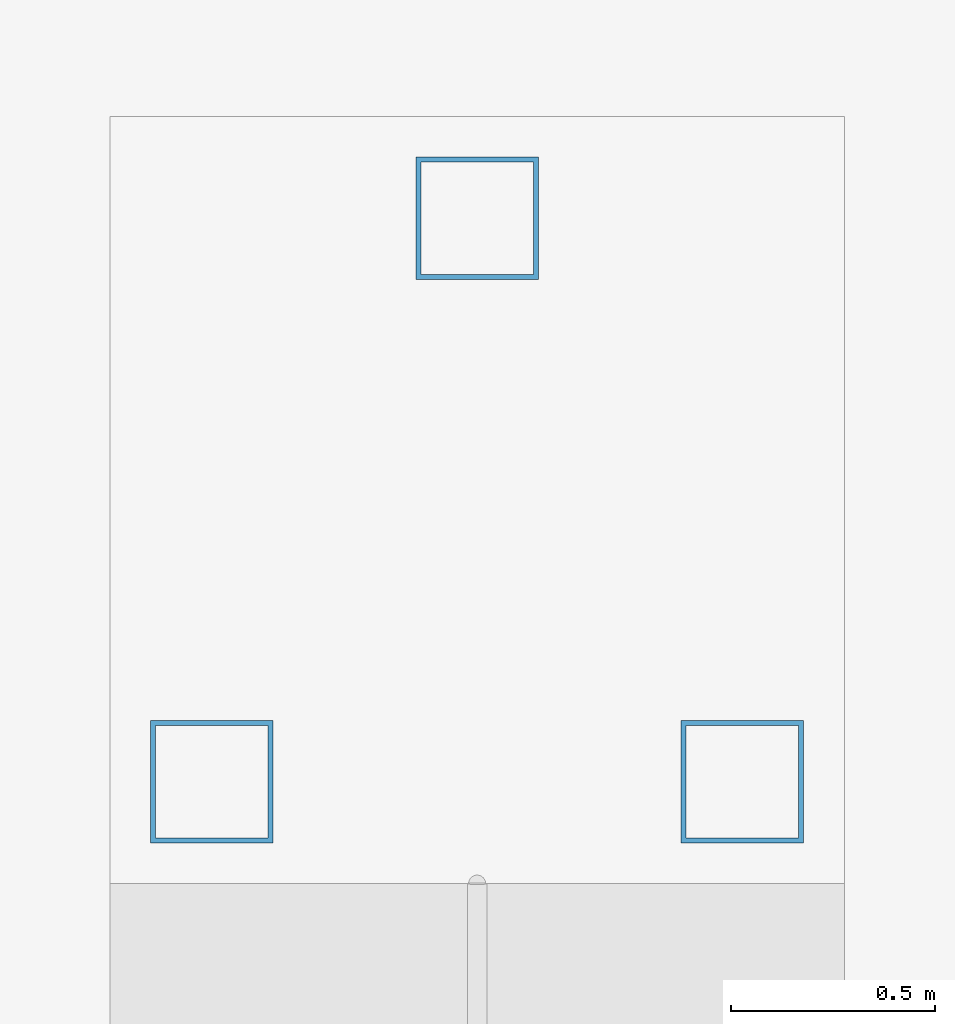
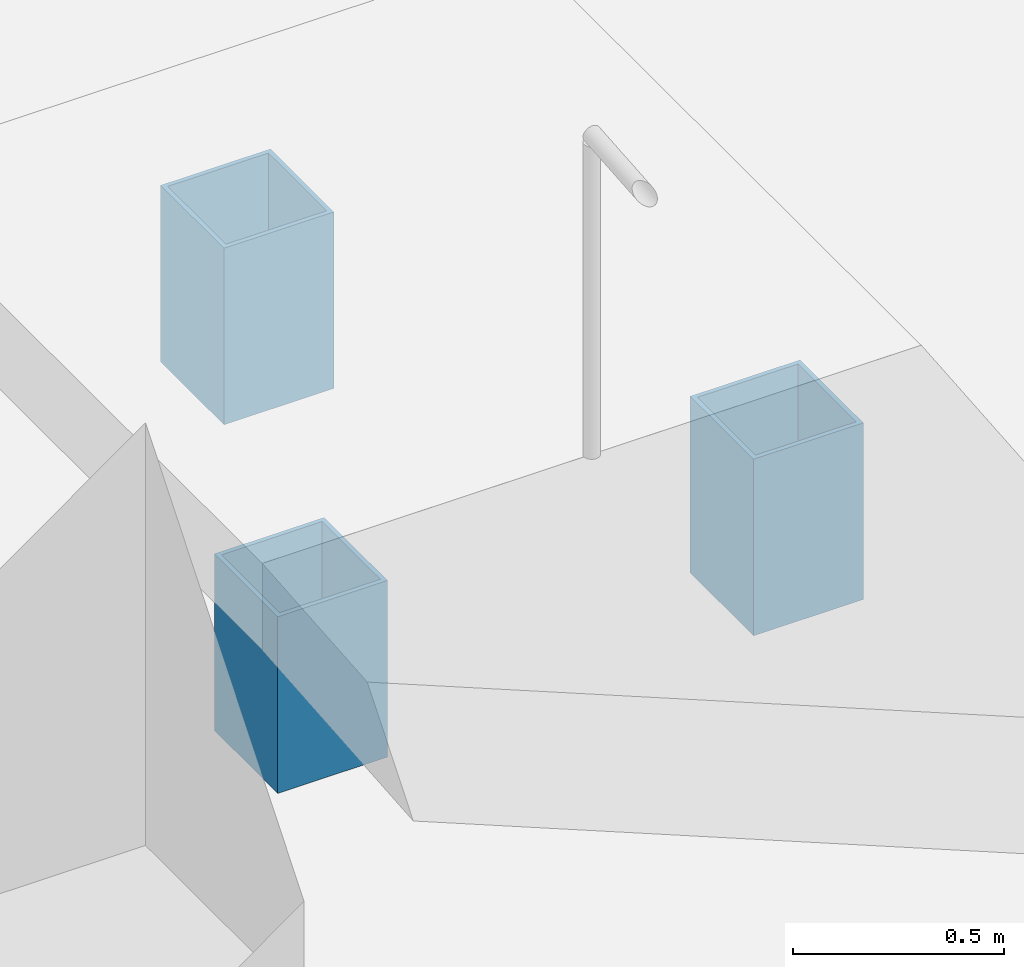
# One storey, part 23 of 79: 3 columns.
"""IFC4 building model written with IfcOpenShell, lengths in metres."""

from ifc_helpers import new_model, si_unit, direction, frame, origin, origin_2d, place, context, subcontext, project, spatial, hollow_rectangle, extrude, material, material_profile, profile_set, type_object, element, save


model = new_model("IFC4")

# Units and contexts
model_context = context("Model", 3, precision=1e-05, world=origin(), true_north=direction((0.0, 1.0)))
body_context = subcontext(model_context, "Body", "Model", "MODEL_VIEW")
ifc_project = project(units=[si_unit("LENGTHUNIT", "METRE"), si_unit("AREAUNIT", "SQUARE_METRE"), si_unit("VOLUMEUNIT", "CUBIC_METRE"), si_unit("PLANEANGLEUNIT", "RADIAN"), si_unit("MASSUNIT", "GRAM", prefix="KILO")], contexts=[model_context])

# Site, building, storey
site_placement = place(None, origin())
site = spatial("IfcSite", under=ifc_project, at=site_placement, CompositionType="ELEMENT")
building_placement = place(site_placement, origin())
building = spatial("IfcBuilding", under=site, at=building_placement, Name="Glasvene Arena", CompositionType="ELEMENT")
storey_placement = place(building_placement, origin())
storey = spatial("IfcBuildingStorey", under=building, at=storey_placement, Name="L00", CompositionType="ELEMENT", Elevation=0.0)

# Columns
ifc_material = material(Name="Steel S355J2", Category="steel")
ifc_material_profile = material_profile(ifc_material, hollow_rectangle(XDim=0.300048828125, YDim=0.300048828125, WallThickness=0.012451171875, at=origin_2d()), Name="SHS 300x300x12.5")
ifc_profile_set = profile_set([ifc_material_profile], Name="Steel S355J2")
column_type = type_object("IfcColumnType", Name="COL-W-SHS300", PredefinedType="COLUMN", material=ifc_profile_set)
for number, where, z_axis, x_axis, name in (
    (1, (131.35009765625, 67.3701171875, 0.0), (0.0, 0.0, 1.0), (1.0, 0.0, 0.0), "Accessible ramp landing pier RP-P2-1"),
    (2, (132.64990234375, 67.3701171875, 0.0), (0.0, 0.0, 1.0), (1.0, 0.0, 0.0), "Accessible ramp landing pier RP-P2-2"),
    (3, (132.0, 68.75, 0.0), (0.0, 0.0, 1.0), (1.0, 0.0, 0.0), "Accessible ramp landing pier RP-P2-3"),
):
    element("IfcColumn", number, at=place(storey_placement, frame(where, z_axis=z_axis, x_axis=x_axis)), inside=storey, type_object=column_type, Name=name, PredefinedType="COLUMN", context=body_context, shape_type="SweptSolid", body=[
        extrude(hollow_rectangle(XDim=0.300048828125, YDim=0.300048828125, WallThickness=0.012451171875, at=origin_2d()), origin(), (0.0, 0.0, 1.0), 0.510009765625),
    ])

save(model, "model.ifc")
